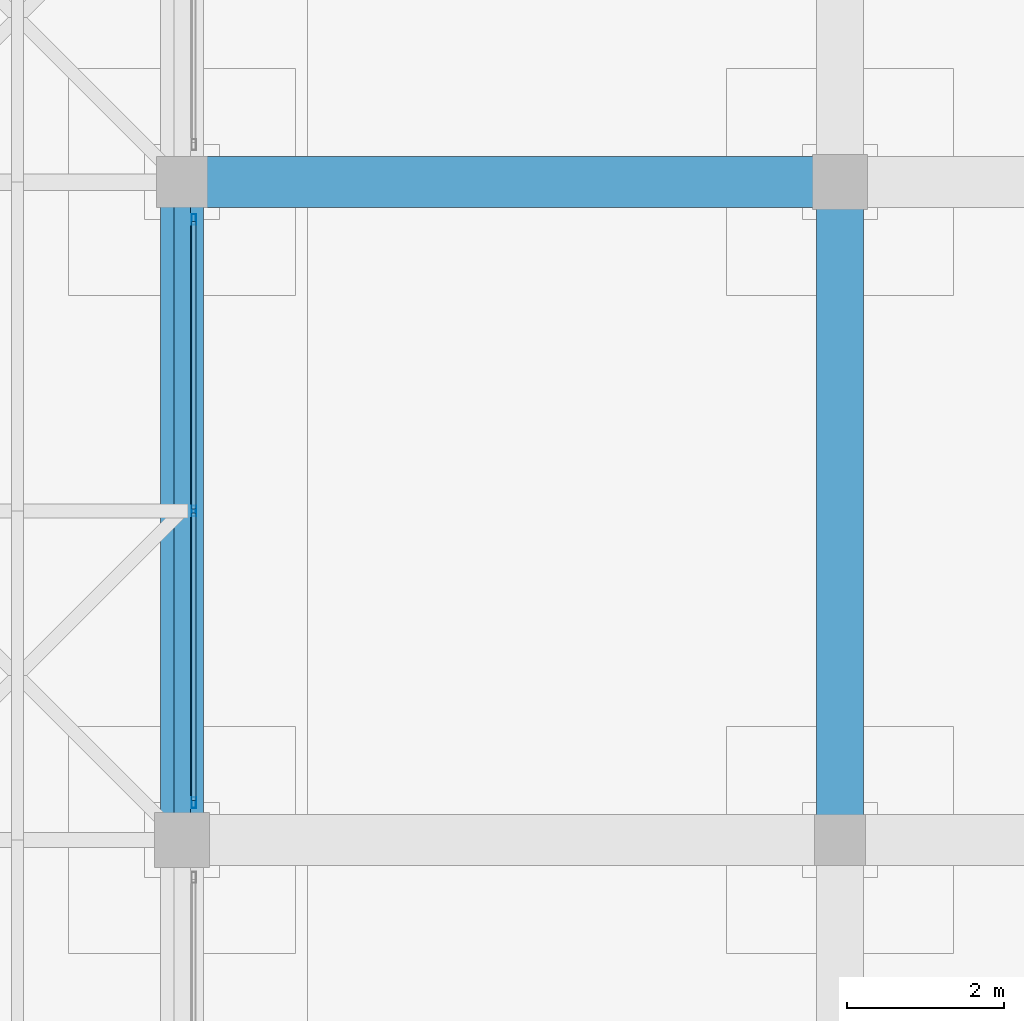
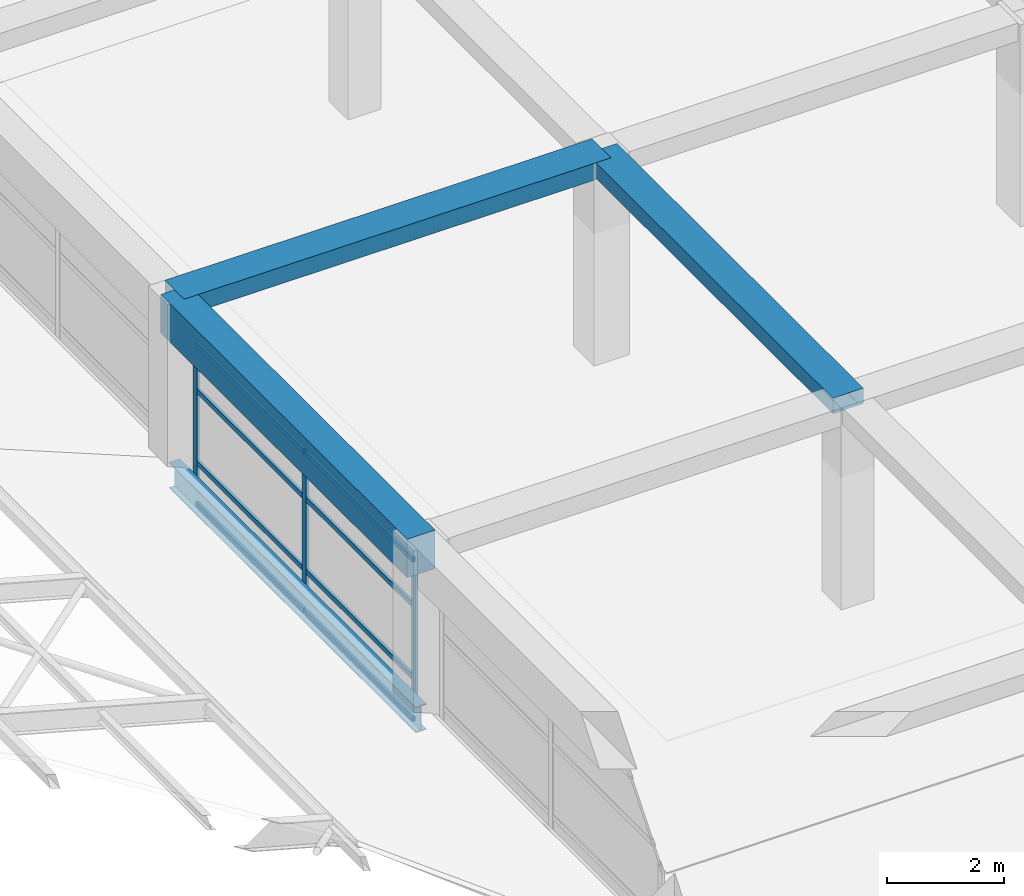
# One storey, part 35 of 85: 11 members, 4 beams, 1 element without a shape of its own.
"""IFC4 building model written with IfcOpenShell, lengths in metres."""

from ifc_helpers import new_model, si_unit, direction, frame, origin, origin_2d, place, context, subcontext, project, spatial, rectangle, hollow_rectangle, i_section, extrude, material, material_profile, profile_set, type_object, element, aggregate, save


model = new_model("IFC4")

# Units and contexts
model_context = context("Model", 3, precision=1e-05, world=origin(), true_north=direction((0.0, 1.0)))
body_context = subcontext(model_context, "Body", "Model", "MODEL_VIEW")
ifc_project = project(units=[si_unit("LENGTHUNIT", "METRE"), si_unit("AREAUNIT", "SQUARE_METRE"), si_unit("VOLUMEUNIT", "CUBIC_METRE"), si_unit("PLANEANGLEUNIT", "RADIAN"), si_unit("MASSUNIT", "GRAM", prefix="KILO")], contexts=[model_context])

# Site, building, storey
site_placement = place(None, origin())
site = spatial("IfcSite", under=ifc_project, at=site_placement, CompositionType="ELEMENT")
building_placement = place(site_placement, origin())
building = spatial("IfcBuilding", under=site, at=building_placement, Name="Almacenes y Pasaje Nevantli", CompositionType="ELEMENT")
storey_placement = place(building_placement, frame((0.0, 0.0, 22.199951171875)))
storey = spatial("IfcBuildingStorey", under=building, at=storey_placement, Name="L05", CompositionType="ELEMENT", Elevation=22.199951171875)

# Beams
ifc_material_1 = material(Name="Concrete C35/45", Category="concrete")
ifc_material_profile_1 = material_profile(ifc_material_1, rectangle(XDim=0.550048828125, YDim=0.800048828125, at=origin_2d()), Name="RC-BM-550x800")
ifc_profile_set_1 = profile_set([ifc_material_profile_1], Name="Concrete C35/45")
beam_type_1 = type_object("IfcBeamType", Name="BM-RC-550x800", PredefinedType="BEAM", material=ifc_profile_set_1)
beam_1_placement = place(storey_placement, frame((92.39990234375, 75.60009765625, 3.820068359375), z_axis=(0.0, 1.0, 0.0), x_axis=(-1.0, 0.0, 0.0)))
element("IfcBeam", 1, at=beam_1_placement, inside=storey, type_object=beam_type_1, Name="L05 North-South Reinforced Concrete Beam #3473", PredefinedType="BEAM", context=body_context, shape_type="SweptSolid", body=[
    extrude(rectangle(XDim=0.550048828125, YDim=0.800048828125, at=origin_2d()), origin(), (0.0, 0.0, 1.0), 8.39990234375),
])
ifc_material_2 = material(Name="Concrete C35/45", Category="concrete")
ifc_material_profile_2 = material_profile(ifc_material_2, rectangle(XDim=0.60009765625, YDim=0.320068359375, at=origin_2d()), Name="RC-BM-600x320")
ifc_profile_set_2 = profile_set([ifc_material_profile_2], Name="Concrete C35/45")
beam_type_2 = type_object("IfcBeamType", Name="BM-RC-600x320", PredefinedType="BEAM", material=ifc_profile_set_2)
beam_2_placement = place(storey_placement, frame((100.800048828125, 75.60009765625, 4.06005859375), z_axis=(0.0, 1.0, 0.0), x_axis=(-1.0, 0.0, 0.0)))
element("IfcBeam", 2, at=beam_2_placement, inside=storey, type_object=beam_type_2, Name="L05 North-South Reinforced Concrete Beam #3486", PredefinedType="BEAM", context=body_context, shape_type="SweptSolid", body=[
    extrude(rectangle(XDim=0.60009765625, YDim=0.320068359375, at=origin_2d()), origin(), (0.0, 0.0, 1.0), 8.39990234375),
])
ifc_material_3 = material(Name="Concrete C35/45", Category="concrete")
ifc_material_profile_3 = material_profile(ifc_material_3, rectangle(XDim=0.64990234375, YDim=0.35009765625, at=origin_2d()), Name="RC-BM-650x350")
ifc_profile_set_3 = profile_set([ifc_material_profile_3], Name="Concrete C35/45")
beam_type_3 = type_object("IfcBeamType", Name="BM-RC-650x350", PredefinedType="BEAM", material=ifc_profile_set_3)
beam_3_placement = place(storey_placement, frame((92.39990234375, 84.0, 4.045166015625), z_axis=(1.0, 0.0, 0.0), x_axis=(0.0, 1.0, 0.0)))
element("IfcBeam", 3, at=beam_3_placement, inside=storey, type_object=beam_type_3, Name="L05 East-West Reinforced Concrete Beam #3345", PredefinedType="BEAM", context=body_context, shape_type="SweptSolid", body=[
    extrude(rectangle(XDim=0.64990234375, YDim=0.35009765625, at=origin_2d()), origin(), (0.0, 0.0, 1.0), 8.400146484375),
])
ifc_material_4 = material(Name="Steel ASTM A992", Category="steel")
ifc_material_profile_4 = material_profile(ifc_material_4, i_section(OverallWidth=0.208984375, OverallDepth=0.532958984375, WebThickness=0.01025390625, FlangeThickness=0.015625, at=origin_2d()), Name="IR 533x92.5")
ifc_profile_set_4 = profile_set([ifc_material_profile_4], Name="Steel ASTM A992")
beam_type_4 = type_object("IfcBeamType", Name="BM-STL-IR-533x92p5", PredefinedType="BEAM", material=ifc_profile_set_4)
beam_4_placement = place(storey_placement, frame((92.39990234375, 75.60009765625, 0.400146484375), z_axis=(0.0, 1.0, 0.0), x_axis=(-1.0, 0.0, 0.0)))
element("IfcBeam", 4, at=beam_4_placement, inside=storey, type_object=beam_type_4, Name="L05 Arcade Barrel Vault Eave Steel Girder #2.10", PredefinedType="BEAM", context=body_context, shape_type="SweptSolid", body=[
    extrude(i_section(OverallWidth=0.208984375, OverallDepth=0.532958984375, WebThickness=0.01025390625, FlangeThickness=0.015625, at=origin_2d()), origin(), (0.0, 0.0, 1.0), 8.39990234375),
])

# Curtain wall, members
ifc_material_5 = material(Name="Thermally Broken Aluminium and Low-E Glass", Category="aluminium")
curtain_wall_type = type_object("IfcCurtainWallType", Name="CW-UNIT-PODIUM", PredefinedType="USERDEFINED", material=ifc_material_5)
curtain_wall_placement = place(storey_placement, origin())
curtain_wall = element("IfcCurtainWall", 5, at=curtain_wall_placement, inside=storey, type_object=curtain_wall_type, Name="L05 Sky-Lobby West Arcade View Curtain Wall Bay 10", ObjectType="UNITIZED CURTAIN WALL", PredefinedType="USERDEFINED")
ifc_material_6 = material(Name="Thermally Broken Anodized Aluminium", Category="aluminium")
ifc_material_profile_5 = material_profile(ifc_material_6, hollow_rectangle(XDim=0.054931640625, YDim=0.139892578125, WallThickness=0.00341796875, at=origin_2d()), Name="ALU-MUL-55x140")
ifc_profile_set_5 = profile_set([ifc_material_profile_5], Name="Thermally Broken Anodized Aluminium")
member_type_1 = type_object("IfcMemberType", Name="CW-MUL-160", PredefinedType="MULLION", material=ifc_profile_set_5)
member_1_placement = place(storey_placement, frame((92.550048828125, 76.077392578125, 0.0), z_axis=(0.0, 0.0, 1.0), x_axis=(-1.0, 0.0, 0.0)))
member_1 = element("IfcMember", 6, at=member_1_placement, type_object=member_type_1, Name="CW-L05-097 mullion 1", PredefinedType="MULLION", context=body_context, shape_type="SweptSolid", body=[
    extrude(hollow_rectangle(XDim=0.054931640625, YDim=0.139892578125, WallThickness=0.00341796875, at=origin_2d()), origin(), (0.0, 0.0, 1.0), 3.3701171875),
])
member_2_placement = place(storey_placement, frame((92.550048828125, 79.800048828125, 0.0), z_axis=(0.0, 0.0, 1.0), x_axis=(-1.0, 0.0, 0.0)))
member_2 = element("IfcMember", 7, at=member_2_placement, type_object=member_type_1, Name="CW-L05-097 mullion 2", PredefinedType="MULLION", context=body_context, shape_type="SweptSolid", body=[
    extrude(hollow_rectangle(XDim=0.054931640625, YDim=0.139892578125, WallThickness=0.00341796875, at=origin_2d()), origin(), (0.0, 0.0, 1.0), 3.3701171875),
])
member_3_placement = place(storey_placement, frame((92.550048828125, 83.5224609375, 0.0), z_axis=(0.0, 0.0, 1.0), x_axis=(-1.0, 0.0, 0.0)))
member_3 = element("IfcMember", 8, at=member_3_placement, type_object=member_type_1, Name="CW-L05-097 mullion 3", PredefinedType="MULLION", context=body_context, shape_type="SweptSolid", body=[
    extrude(hollow_rectangle(XDim=0.054931640625, YDim=0.139892578125, WallThickness=0.00341796875, at=origin_2d()), origin(), (0.0, 0.0, 1.0), 3.3701171875),
])
ifc_material_7 = material(Name="Thermally Broken Anodized Aluminium", Category="aluminium")
ifc_material_profile_6 = material_profile(ifc_material_7, hollow_rectangle(XDim=0.054931640625, YDim=0.10498046875, WallThickness=0.003173828125, at=origin_2d()), Name="ALU-TRN-55x105")
ifc_profile_set_6 = profile_set([ifc_material_profile_6], Name="Thermally Broken Anodized Aluminium")
member_type_2 = type_object("IfcMemberType", Name="CW-TRN-120", PredefinedType="USERDEFINED", material=ifc_profile_set_6)
member_4_placement = place(storey_placement, frame((92.550048828125, 76.10498046875, 0.027587890625), z_axis=(0.0, 1.0, 0.0), x_axis=(-1.0, 0.0, 0.0)))
member_4 = element("IfcMember", 9, at=member_4_placement, type_object=member_type_2, Name="CW-L05-097 transom 1.1", ObjectType="TRANSOM", PredefinedType="USERDEFINED", context=body_context, shape_type="SweptSolid", body=[
    extrude(hollow_rectangle(XDim=0.054931640625, YDim=0.10498046875, WallThickness=0.003173828125, at=origin_2d()), origin(), (0.0, 0.0, 1.0), 3.66748046875),
])
member_5_placement = place(storey_placement, frame((92.550048828125, 76.10498046875, 0.900146484375), z_axis=(0.0, 1.0, 0.0), x_axis=(-1.0, 0.0, 0.0)))
member_5 = element("IfcMember", 10, at=member_5_placement, type_object=member_type_2, Name="CW-L05-097 transom 1.2", ObjectType="TRANSOM", PredefinedType="USERDEFINED", context=body_context, shape_type="SweptSolid", body=[
    extrude(hollow_rectangle(XDim=0.054931640625, YDim=0.10498046875, WallThickness=0.003173828125, at=origin_2d()), origin(), (0.0, 0.0, 1.0), 3.66748046875),
])
member_6_placement = place(storey_placement, frame((92.550048828125, 76.10498046875, 2.400146484375), z_axis=(0.0, 1.0, 0.0), x_axis=(-1.0, 0.0, 0.0)))
member_6 = element("IfcMember", 11, at=member_6_placement, type_object=member_type_2, Name="CW-L05-097 transom 1.3", ObjectType="TRANSOM", PredefinedType="USERDEFINED", context=body_context, shape_type="SweptSolid", body=[
    extrude(hollow_rectangle(XDim=0.054931640625, YDim=0.10498046875, WallThickness=0.003173828125, at=origin_2d()), origin(), (0.0, 0.0, 1.0), 3.66748046875),
])
member_7_placement = place(storey_placement, frame((92.550048828125, 76.10498046875, 3.342529296875), z_axis=(0.0, 1.0, 0.0), x_axis=(-1.0, 0.0, 0.0)))
member_7 = element("IfcMember", 12, at=member_7_placement, type_object=member_type_2, Name="CW-L05-097 transom 1.4", ObjectType="TRANSOM", PredefinedType="USERDEFINED", context=body_context, shape_type="SweptSolid", body=[
    extrude(hollow_rectangle(XDim=0.054931640625, YDim=0.10498046875, WallThickness=0.003173828125, at=origin_2d()), origin(), (0.0, 0.0, 1.0), 3.66748046875),
])
member_8_placement = place(storey_placement, frame((92.550048828125, 79.827392578125, 0.027587890625), z_axis=(0.0, 1.0, 0.0), x_axis=(-1.0, 0.0, 0.0)))
member_8 = element("IfcMember", 13, at=member_8_placement, type_object=member_type_2, Name="CW-L05-097 transom 2.1", ObjectType="TRANSOM", PredefinedType="USERDEFINED", context=body_context, shape_type="SweptSolid", body=[
    extrude(hollow_rectangle(XDim=0.054931640625, YDim=0.10498046875, WallThickness=0.003173828125, at=origin_2d()), origin(), (0.0, 0.0, 1.0), 3.667724609375),
])
member_9_placement = place(storey_placement, frame((92.550048828125, 79.827392578125, 0.900146484375), z_axis=(0.0, 1.0, 0.0), x_axis=(-1.0, 0.0, 0.0)))
member_9 = element("IfcMember", 14, at=member_9_placement, type_object=member_type_2, Name="CW-L05-097 transom 2.2", ObjectType="TRANSOM", PredefinedType="USERDEFINED", context=body_context, shape_type="SweptSolid", body=[
    extrude(hollow_rectangle(XDim=0.054931640625, YDim=0.10498046875, WallThickness=0.003173828125, at=origin_2d()), origin(), (0.0, 0.0, 1.0), 3.667724609375),
])
member_10_placement = place(storey_placement, frame((92.550048828125, 79.827392578125, 2.400146484375), z_axis=(0.0, 1.0, 0.0), x_axis=(-1.0, 0.0, 0.0)))
member_10 = element("IfcMember", 15, at=member_10_placement, type_object=member_type_2, Name="CW-L05-097 transom 2.3", ObjectType="TRANSOM", PredefinedType="USERDEFINED", context=body_context, shape_type="SweptSolid", body=[
    extrude(hollow_rectangle(XDim=0.054931640625, YDim=0.10498046875, WallThickness=0.003173828125, at=origin_2d()), origin(), (0.0, 0.0, 1.0), 3.667724609375),
])
member_11_placement = place(storey_placement, frame((92.550048828125, 79.827392578125, 3.342529296875), z_axis=(0.0, 1.0, 0.0), x_axis=(-1.0, 0.0, 0.0)))
member_11 = element("IfcMember", 16, at=member_11_placement, type_object=member_type_2, Name="CW-L05-097 transom 2.4", ObjectType="TRANSOM", PredefinedType="USERDEFINED", context=body_context, shape_type="SweptSolid", body=[
    extrude(hollow_rectangle(XDim=0.054931640625, YDim=0.10498046875, WallThickness=0.003173828125, at=origin_2d()), origin(), (0.0, 0.0, 1.0), 3.667724609375),
])
aggregate(curtain_wall, [member_1, member_2, member_3, member_4, member_5, member_6, member_7, member_8, member_9, member_10, member_11])

save(model, "model.ifc")
